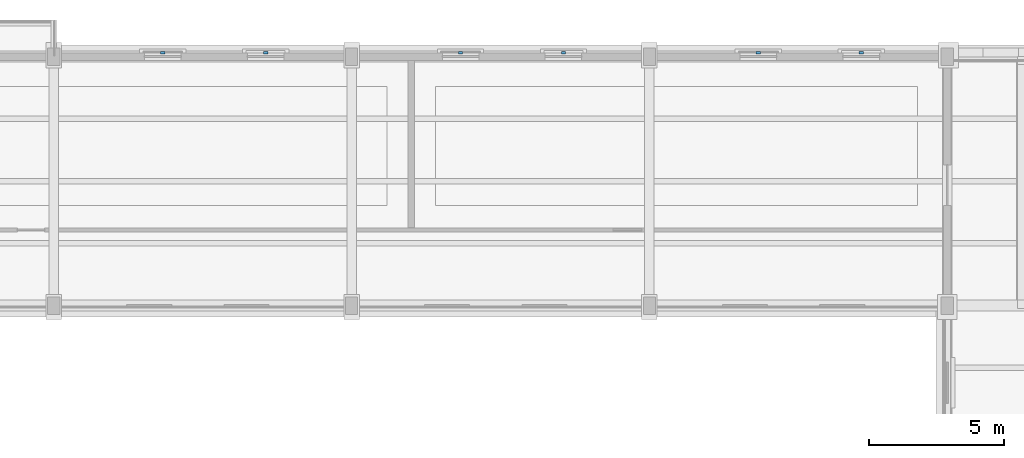
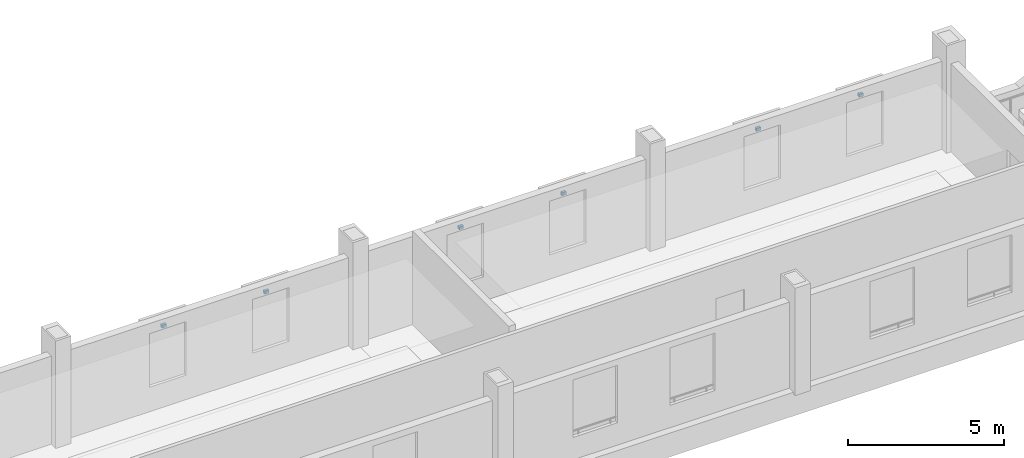
# One storey, part 31 of 43: 6 discrete accessories.
"""IFC4 building model written with IfcOpenShell, lengths in metres."""

from ifc_helpers import new_model, si_unit, direction, frame, origin, origin_2d, place, context, subcontext, project, spatial, rectangle, extrude, material, type_object, element, save


model = new_model("IFC4")

# Units and contexts
model_context = context("Model", 3, precision=1e-05, world=origin(), true_north=direction((0.0, 1.0)))
body_context = subcontext(model_context, "Body", "Model", "MODEL_VIEW")
ifc_project = project(units=[si_unit("LENGTHUNIT", "METRE"), si_unit("AREAUNIT", "SQUARE_METRE"), si_unit("VOLUMEUNIT", "CUBIC_METRE"), si_unit("PLANEANGLEUNIT", "RADIAN"), si_unit("MASSUNIT", "GRAM", prefix="KILO")], contexts=[model_context])

# Site, building, storey
site_placement = place(None, origin())
site = spatial("IfcSite", under=ifc_project, at=site_placement, CompositionType="ELEMENT")
building_placement = place(site_placement, origin())
building = spatial("IfcBuilding", under=site, at=building_placement, Name="Caurita Quay Ferry Terminal", CompositionType="ELEMENT")
storey_placement = place(building_placement, frame((0.0, 0.0, 14.10009765625)))
storey = spatial("IfcBuildingStorey", under=building, at=storey_placement, Name="L03", CompositionType="ELEMENT", Elevation=14.10009765625)

# Discrete accessories
ifc_material = material(Name="Structural plate steel ASTM A572 Gr. 50", Category="steel")
discrete_accessory_type = type_object("IfcDiscreteAccessoryType", Name="ACC-BRK-01", PredefinedType="BRACKET", material=ifc_material)
for number, where, z_axis, x_axis, name in (
    (1, (40.824951171875, 117.139892578125, 2.909912109375), (0.0, 0.0, 1.0), (-1.0, 0.0, 0.0), "L03 Sun-Breaker Bracket 029"),
    (2, (37.02490234375, 117.139892578125, 2.909912109375), (0.0, 0.0, 1.0), (-1.0, 0.0, 0.0), "L03 Sun-Breaker Bracket 030"),
    (3, (51.824951171875, 117.139892578125, 2.909912109375), (0.0, 0.0, 1.0), (-1.0, 0.0, 0.0), "L03 Sun-Breaker Bracket 031"),
    (4, (48.02490234375, 117.139892578125, 2.909912109375), (0.0, 0.0, 1.0), (-1.0, 0.0, 0.0), "L03 Sun-Breaker Bracket 032"),
    (5, (62.824951171875, 117.139892578125, 2.909912109375), (0.0, 0.0, 1.0), (-1.0, 0.0, 0.0), "L03 Sun-Breaker Bracket 033"),
    (6, (59.02490234375, 117.139892578125, 2.909912109375), (0.0, 0.0, 1.0), (-1.0, 0.0, 0.0), "L03 Sun-Breaker Bracket 034"),
):
    element("IfcDiscreteAccessory", number, at=place(storey_placement, frame(where, z_axis=z_axis, x_axis=x_axis)), inside=storey, type_object=discrete_accessory_type, Name=name, PredefinedType="BRACKET", context=body_context, shape_type="SweptSolid", body=[
        extrude(rectangle(XDim=0.159912109375, YDim=0.10009765625, at=origin_2d()), origin(), (0.0, 0.0, 1.0), 0.1201171875),
    ])

save(model, "model.ifc")
